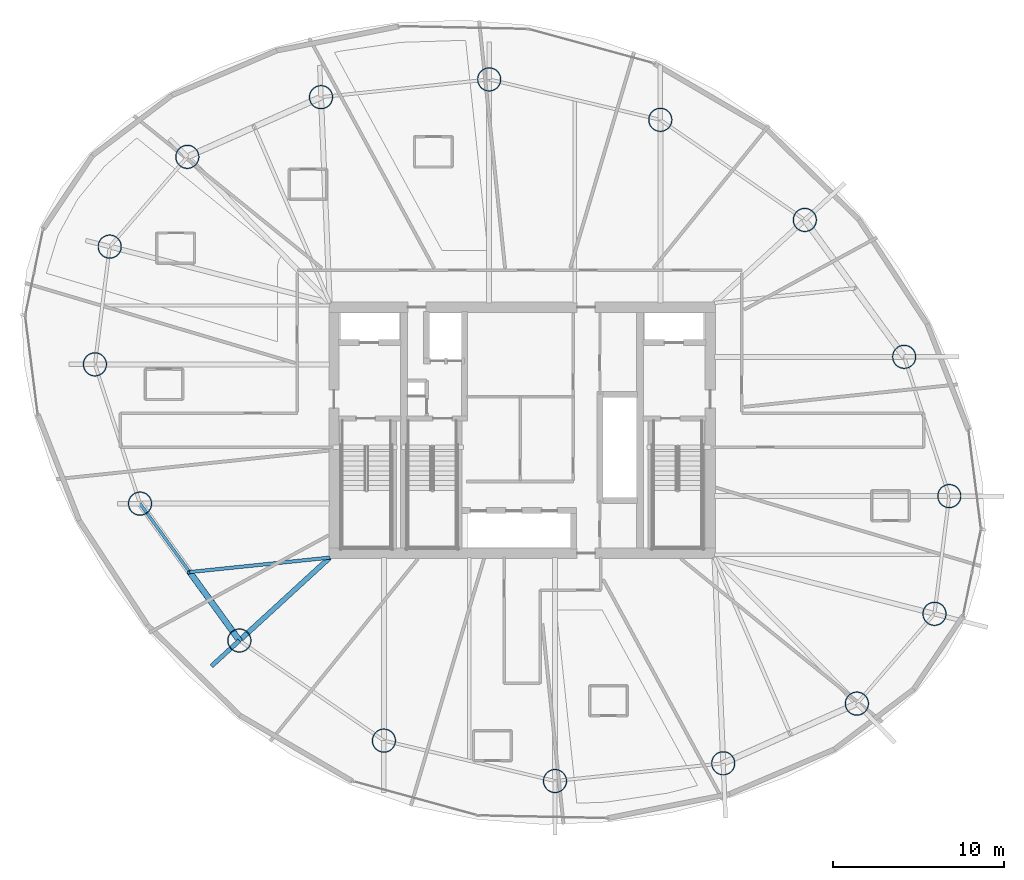
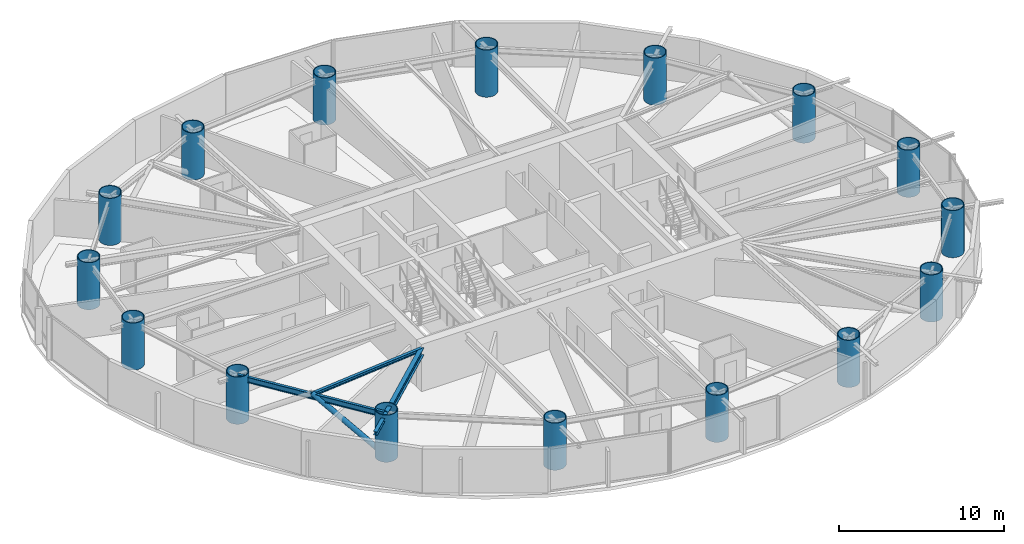
# One storey, part 1 of 26: 16 columns, 4 beams, 1 member.
"""IFC4 building model written with IfcOpenShell, lengths in metres."""

import ifcopenshell
import ifcopenshell.guid

model = None  # the IFC model being written
_history = None  # IfcOwnerHistory: only IFC2X3 demands one
_inside = {}  # id of a spatial element -> (the spatial element, [elements in it])
_under = {}  # id of a project, library or spatial element -> (it, [spatial elements below it])
_declared = {}  # id of a project -> (the project, [libraries it declares])
_typed = {}  # id of a type object -> (the type object, [elements of that type])
_made_of = {}  # id of a material, layer set ... -> (it, [elements and type objects made of it])


def new_model(schema):
    """Start an empty IFC model of exactly this schema.

    Asked for "IFC4X3", IfcOpenShell would pick the latest addendum, in which some entities
    have other attributes; the version numbers below select the first issue.
    IFC2X3 requires an IfcOwnerHistory on every rooted entity: one is made here for all.
    """
    global model, _history
    if schema == "IFC4X3":
        model = ifcopenshell.file(schema_version=(4, 3, 0, 0))
    else:
        model = ifcopenshell.file(schema=schema)
    _inside.clear()
    _under.clear()
    _declared.clear()
    _typed.clear()
    _made_of.clear()
    _history = None
    if model.schema == "IFC2X3":
        org = make("IfcOrganization", Name="unknown")
        user = make(
            "IfcPersonAndOrganization",
            ThePerson=make("IfcPerson", FamilyName="unknown"),
            TheOrganization=org,
        )
        app = make(
            "IfcApplication",
            ApplicationDeveloper=org,
            Version="unknown",
            ApplicationFullName="unknown",
            ApplicationIdentifier="unknown",
        )
        _history = make(
            "IfcOwnerHistory",
            OwningUser=user,
            OwningApplication=app,
            ChangeAction="ADDED",
            CreationDate=0,
        )
    return model


def make(cls, **values):
    """One entity of the class cls with the attributes given. An attribute that is None is left unset."""
    return model.create_entity(
        cls, **{name: value for name, value in values.items() if value is not None}
    )


def rooted(cls, **values):
    """An entity with a GlobalId (a new one), such as an element, a storey or a relation."""
    return make(cls, GlobalId=ifcopenshell.guid.new(), OwnerHistory=_history, **values)


def si_unit(unit_type, name, prefix=None):
    """IfcSIUnit, for example si_unit("LENGTHUNIT", "METRE", prefix="MILLI")."""
    return make("IfcSIUnit", UnitType=unit_type, Prefix=prefix, Name=name)


def assignment(units):
    """IfcUnitAssignment: the units of a project."""
    return None if units is None else make("IfcUnitAssignment", Units=units)


def point(xyz):
    """IfcCartesianPoint."""
    return None if xyz is None else make("IfcCartesianPoint", Coordinates=xyz)


def direction(xyz):
    """IfcDirection."""
    return None if xyz is None else make("IfcDirection", DirectionRatios=xyz)


def frame(location, z_axis=None, x_axis=None):
    """IfcAxis2Placement3D, a coordinate frame: its origin and axes. An axis left out is left unset."""
    return make(
        "IfcAxis2Placement3D",
        Location=point(location),
        Axis=direction(z_axis),
        RefDirection=direction(x_axis),
    )


def frame_2d(location, x_axis=None):
    """IfcAxis2Placement2D, a coordinate frame in the plane: its origin and x axis."""
    return make(
        "IfcAxis2Placement2D", Location=point(location), RefDirection=direction(x_axis)
    )


def origin():
    """The frame at (0, 0, 0) with its axes left unset."""
    return frame((0.0, 0.0, 0.0))


def origin_2d():
    """The frame at (0, 0) in the plane with its x axis left unset."""
    return frame_2d((0.0, 0.0))


def place(relative_to, where):
    """IfcLocalPlacement: puts the frame where relative to a parent placement (None: the world)."""
    return make(
        "IfcLocalPlacement", PlacementRelTo=relative_to, RelativePlacement=where
    )


def context(
    kind, dimensions, precision=None, world=None, true_north=None, identifier=None
):
    """IfcGeometricRepresentationContext, for example the 3D "Model" context."""
    return make(
        "IfcGeometricRepresentationContext",
        ContextIdentifier=identifier,
        ContextType=kind,
        CoordinateSpaceDimension=dimensions,
        Precision=precision,
        WorldCoordinateSystem=world,
        TrueNorth=true_north,
    )


def subcontext(parent, identifier, kind, view, scale=None):
    """IfcGeometricRepresentationSubContext, for example "Body" below "Model"."""
    return make(
        "IfcGeometricRepresentationSubContext",
        ContextIdentifier=identifier,
        ContextType=kind,
        ParentContext=parent,
        TargetScale=scale,
        TargetView=view,
    )


def project(units=None, contexts=None):
    """IfcProject with its units and contexts."""
    return rooted(
        "IfcProject",
        Name="project",
        RepresentationContexts=contexts,
        UnitsInContext=assignment(units),
    )


def spatial(cls, under=None, at=None, **own):
    """A site, building, storey or space (cls), placed at a placement, below another one or the project."""
    s = rooted(cls, ObjectPlacement=at, **own)
    if under is not None:
        _under.setdefault(under.id(), (under, []))[1].append(s)
    return s


def profile(cls, at=None, kind="AREA", **sizes):
    """A parametric profile (cls). Its sizes go by their IFC names, for example OverallWidth=200.0."""
    return make(cls, ProfileType=kind, Position=at, **sizes)


def hollow_circle(**sizes):
    """IfcCircleHollowProfileDef."""
    return profile("IfcCircleHollowProfileDef", **sizes)


def i_section(**sizes):
    """IfcIShapeProfileDef."""
    return profile("IfcIShapeProfileDef", **sizes)


def extrude(swept, where, along, depth):
    """IfcExtrudedAreaSolid: the profile swept, set in the frame where, extruded along a direction by depth."""
    return make(
        "IfcExtrudedAreaSolid",
        SweptArea=swept,
        Position=where,
        ExtrudedDirection=direction(along),
        Depth=depth,
    )


def shape(context_of_items, identifier, shape_type, items):
    """IfcShapeRepresentation: the items that make up one representation, for example the "Body"."""
    return make(
        "IfcShapeRepresentation",
        ContextOfItems=context_of_items,
        RepresentationIdentifier=identifier,
        RepresentationType=shape_type,
        Items=items,
    )


def material(Name=None, Category=None):
    """IfcMaterial."""
    return make("IfcMaterial", Name=Name, Category=Category)


def material_profile(
    of_material, cross_section, Name=None, Category=None, Priority=None
):
    """IfcMaterialProfile: a cross section and its material."""
    return make(
        "IfcMaterialProfile",
        Name=Name,
        Material=of_material,
        Profile=cross_section,
        Priority=Priority,
        Category=Category,
    )


def profile_set(profiles, Name=None, composite=None):
    """IfcMaterialProfileSet."""
    return make(
        "IfcMaterialProfileSet",
        Name=Name,
        MaterialProfiles=profiles,
        CompositeProfile=composite,
    )


def made_of(thing, what):
    """Note that an element or type object is made of a material, layer set ...; save() writes the relation."""
    if what is not None:
        _made_of.setdefault(what.id(), (what, []))[1].append(thing)
    return thing


def type_object(cls, material=None, **own):
    """A type object (cls), such as IfcWallType, which elements share."""
    return made_of(rooted(cls, **own), material)


def element(
    cls,
    number,
    at=None,
    inside=None,
    cuts=None,
    type_object=None,
    material=None,
    context=None,
    identifier="Body",
    shape_type=None,
    held_by="IfcProductDefinitionShape",
    body=None,
    shapes=None,
    **own,
):
    """One element of the class cls, such as IfcWall. Its Tag is "e" and its number.

    at: its placement. inside: the storey or other place that contains it. cuts: it is an
    opening in that element (IfcRelVoidsElement). A single representation is given by context,
    identifier, shape_type and body (its items); several are given by shapes. held_by: the class
    of the entity that holds the representations. save() writes the other relations.
    """
    e = rooted(cls, Tag="e%d" % number, ObjectPlacement=at, **own)
    if body is not None:
        shapes = [shape(context, identifier, shape_type, body)]
    if shapes is not None:
        e.Representation = make(held_by, Representations=shapes)
    if inside is not None:
        _inside.setdefault(inside.id(), (inside, []))[1].append(e)
    if cuts is not None:
        rooted(
            "IfcRelVoidsElement", RelatingBuildingElement=cuts, RelatedOpeningElement=e
        )
    if type_object is not None:
        _typed.setdefault(type_object.id(), (type_object, []))[1].append(e)
    return made_of(e, material)


def aggregate(whole, parts):
    """IfcRelAggregates: a whole, such as a stair, and the parts it consists of."""
    return rooted("IfcRelAggregates", RelatingObject=whole, RelatedObjects=parts)


def save(model, path):
    """Write the relations noted so far, then the file.

    IfcRelAggregates (storeys below a building ...), IfcRelContainedInSpatialStructure (elements
    in a storey), IfcRelDefinesByType, IfcRelAssociatesMaterial and IfcRelDeclares: one each for
    every whole, place, type object, material and project.
    """
    for whole, parts in _under.values():
        aggregate(whole, parts)
    for where, things in _inside.values():
        rooted(
            "IfcRelContainedInSpatialStructure",
            RelatedElements=things,
            RelatingStructure=where,
        )
    for kind, things in _typed.values():
        rooted("IfcRelDefinesByType", RelatedObjects=things, RelatingType=kind)
    for what, things in _made_of.values():
        rooted("IfcRelAssociatesMaterial", RelatedObjects=things, RelatingMaterial=what)
    for by, libraries in _declared.values():
        rooted("IfcRelDeclares", RelatingContext=by, RelatedDefinitions=libraries)
    model.write(path)


model = new_model("IFC4")

# Units and contexts
model_context = context("Model", 3, precision=1e-05, world=origin(), true_north=direction((0.0, 1.0)))
body_context = subcontext(model_context, "Body", "Model", "MODEL_VIEW")
ifc_project = project(units=[si_unit("LENGTHUNIT", "METRE"), si_unit("AREAUNIT", "SQUARE_METRE"), si_unit("VOLUMEUNIT", "CUBIC_METRE"), si_unit("PLANEANGLEUNIT", "RADIAN"), si_unit("MASSUNIT", "GRAM", prefix="KILO")], contexts=[model_context])

# Site, building, storey
site_placement = place(None, origin())
site = spatial("IfcSite", under=ifc_project, at=site_placement, CompositionType="ELEMENT")
building_placement = place(site_placement, origin())
building = spatial("IfcBuilding", under=site, at=building_placement, Name="Bramvorn Convention Spire", CompositionType="ELEMENT")
storey_placement = place(building_placement, frame((0.0, 0.0, 123.800048828125)))
storey = spatial("IfcBuildingStorey", under=building, at=storey_placement, Name="L30", CompositionType="ELEMENT", Elevation=123.800048828125)

# Columns
ifc_material = material(Name="Steel CSA G40.21 Grade 350 (350W)", Category="steel")
ifc_material_profile_1 = material_profile(ifc_material, hollow_circle(Radius=0.699951171875, WallThickness=0.054931640625, at=origin_2d()))
ifc_profile_set_1 = profile_set([ifc_material_profile_1], Name="Steel CSA G40.21 Grade 350 (350W) - CFT1400X55")
column_type = type_object("IfcColumnType", Name="COL-CFT1400X55", PredefinedType="COLUMN", material=ifc_profile_set_1)
for number, where, z_axis, x_axis, name in (
    (1, (62.11767578125, 15.26220703125, 0.0), (0.0, 0.0, 1.0), (1.0, 0.0, 0.0), "L30 composite CFT mega-column MC01"),
    (2, (62.983642578125, 22.148193359375, 0.0), (0.0, 0.0, 1.0), (1.0, 0.0, 0.0), "L30 composite CFT mega-column MC02"),
    (3, (60.345703125, 30.293212890625, 0.0), (0.0, 0.0, 1.0), (1.0, 0.0, 0.0), "L30 composite CFT mega-column MC03"),
    (4, (54.534912109375, 38.299072265625, 0.0), (0.0, 0.0, 1.0), (1.0, 0.0, 0.0), "L30 composite CFT mega-column MC04"),
    (5, (46.082763671875, 44.154052734375, 0.0), (0.0, 0.0, 1.0), (1.0, 0.0, 0.0), "L30 composite CFT mega-column MC05"),
    (6, (36.075927734375, 46.517333984375, 0.0), (0.0, 0.0, 1.0), (1.0, 0.0, 0.0), "L30 composite CFT mega-column MC06"),
    (7, (26.23828125, 45.478759765625, 0.0), (0.0, 0.0, 1.0), (1.0, 0.0, 0.0), "L30 composite CFT mega-column MC07"),
    (8, (18.420166015625, 41.9892578125, 0.0), (0.0, 0.0, 1.0), (1.0, 0.0, 0.0), "L30 composite CFT mega-column MC08"),
    (9, (13.88232421875, 36.73779296875, 0.0), (0.0, 0.0, 1.0), (1.0, 0.0, 0.0), "L30 composite CFT mega-column MC09"),
    (10, (13.016357421875, 29.851806640625, 0.0), (0.0, 0.0, 1.0), (1.0, 0.0, 0.0), "L30 composite CFT mega-column MC10"),
    (11, (15.654296875, 21.706787109375, 0.0), (0.0, 0.0, 1.0), (1.0, 0.0, 0.0), "L30 composite CFT mega-column MC11"),
    (12, (21.465087890625, 13.700927734375, 0.0), (0.0, 0.0, 1.0), (1.0, 0.0, 0.0), "L30 composite CFT mega-column MC12"),
    (13, (29.917236328125, 7.845947265625, 0.0), (0.0, 0.0, 1.0), (1.0, 0.0, 0.0), "L30 composite CFT mega-column MC13"),
    (14, (39.924072265625, 5.482666015625, 0.0), (0.0, 0.0, 1.0), (1.0, 0.0, 0.0), "L30 composite CFT mega-column MC14"),
    (15, (49.76171875, 6.521240234375, 0.0), (0.0, 0.0, 1.0), (1.0, 0.0, 0.0), "L30 composite CFT mega-column MC15"),
    (16, (57.579833984375, 10.0107421875, 0.0), (0.0, 0.0, 1.0), (1.0, 0.0, 0.0), "L30 composite CFT mega-column MC16"),
):
    element("IfcColumn", number, at=place(storey_placement, frame(where, z_axis=z_axis, x_axis=x_axis)), inside=storey, type_object=column_type, Name=name, PredefinedType="COLUMN", context=body_context, shape_type="SweptSolid", body=[
        extrude(hollow_circle(Radius=0.699951171875, WallThickness=0.054931640625, at=origin_2d()), origin(), (0.0, 0.0, 1.0), 3.5),
    ])

# Beams
ifc_material_profile_2 = material_profile(ifc_material, i_section(OverallWidth=0.201904296875, OverallDepth=0.2470703125, WebThickness=0.00732421875, FlangeThickness=0.010986328125, FilletRadius=0.011962890625, at=origin_2d()))
ifc_profile_set_2 = profile_set([ifc_material_profile_2], Name="Steel CSA G40.21 Grade 350 (350W) - W250X49")
beam_type_1 = type_object("IfcBeamType", Name="BM-W250X49", PredefinedType="JOIST", material=ifc_profile_set_2)
beam_1_placement = place(storey_placement, frame((26.75, 18.550048828125, 3.136474609375), z_axis=(-0.994705076194, -0.102770673804, 0.0), x_axis=(0.102770673804, -0.994705076194, 0.0)))
element("IfcBeam", 17, at=beam_1_placement, inside=storey, type_object=beam_type_1, Name="L30 composite floor joist 11", PredefinedType="JOIST", context=body_context, shape_type="SweptSolid", body=[
    extrude(i_section(OverallWidth=0.201904296875, OverallDepth=0.2470703125, WebThickness=0.00732421875, FlangeThickness=0.010986328125, FilletRadius=0.011962890625, at=origin_2d()), origin(), (0.0, 0.0, 1.0), 8.23388671875),
])
ifc_material_profile_3 = material_profile(ifc_material, i_section(OverallWidth=0.25390625, OverallDepth=0.2529296875, WebThickness=0.008544921875, FlangeThickness=0.01416015625, FilletRadius=0.011962890625, at=origin_2d()))
ifc_profile_set_3 = profile_set([ifc_material_profile_3], Name="Steel CSA G40.21 Grade 350 (350W) - W250X73")
beam_type_2 = type_object("IfcBeamType", Name="BM-W250X73", PredefinedType="BEAM", material=ifc_profile_set_3)
beam_2_placement = place(storey_placement, frame((21.465087890625, 13.700927734375, 3.133544921875), z_axis=(-0.736792285409, -0.676119167131, 0.0), x_axis=(0.676119167131, -0.736792285409, 0.0)))
element("IfcBeam", 18, at=beam_2_placement, inside=storey, type_object=beam_type_2, Name="L30 slab-edge cantilever tip beam MC12", PredefinedType="BEAM", context=body_context, shape_type="SweptSolid", body=[
    extrude(i_section(OverallWidth=0.25390625, OverallDepth=0.2529296875, WebThickness=0.008544921875, FlangeThickness=0.01416015625, FilletRadius=0.011962890625, at=origin_2d()), origin(), (0.0, 0.0, 1.0), 2.213134765625),
])
ifc_material_profile_4 = material_profile(ifc_material, i_section(OverallWidth=0.180908203125, OverallDepth=0.4169921875, WebThickness=0.010986328125, FlangeThickness=0.018310546875, FilletRadius=0.01611328125, at=origin_2d()))
ifc_profile_set_4 = profile_set([ifc_material_profile_4], Name="Steel CSA G40.21 Grade 350 (350W) - W410X85")
beam_type_3 = type_object("IfcBeamType", Name="BM-W410X85", PredefinedType="JOIST", material=ifc_profile_set_4)
beam_3_placement = place(storey_placement, frame((15.654296875, 21.706787109375, 3.051513671875), z_axis=(0.587401024629, -0.809296012757, 0.0), x_axis=(0.809296012757, 0.587401024629, 0.0)))
element("IfcBeam", 19, at=beam_3_placement, inside=storey, type_object=beam_type_3, Name="L30 mega-column ring beam 11", PredefinedType="JOIST", context=body_context, shape_type="SweptSolid", body=[
    extrude(i_section(OverallWidth=0.180908203125, OverallDepth=0.4169921875, WebThickness=0.010986328125, FlangeThickness=0.018310546875, FilletRadius=0.01611328125, at=origin_2d()), origin(), (0.0, 0.0, 1.0), 9.892333984375),
])
ifc_material_profile_5 = material_profile(ifc_material, i_section(OverallWidth=0.2919921875, OverallDepth=0.551025390625, WebThickness=0.01513671875, FlangeThickness=0.0244140625, FilletRadius=0.01904296875, at=origin_2d()))
ifc_profile_set_5 = profile_set([ifc_material_profile_5], Name="Steel CSA G40.21 Grade 350 (350W) - W530X182")
beam_type_4 = type_object("IfcBeamType", Name="BM-W530X182", PredefinedType="BEAM", material=ifc_profile_set_5)
beam_4_placement = place(storey_placement, frame((26.75, 18.550048828125, 2.984375), z_axis=(-0.736833323746, -0.676074443399, 0.0), x_axis=(0.676074443399, -0.736833323746, 0.0)))
element("IfcBeam", 20, at=beam_4_placement, inside=storey, type_object=beam_type_4, Name="L30 radial floor girder MC12", PredefinedType="BEAM", context=body_context, shape_type="SweptSolid", body=[
    extrude(i_section(OverallWidth=0.2919921875, OverallDepth=0.551025390625, WebThickness=0.01513671875, FlangeThickness=0.0244140625, FilletRadius=0.01904296875, at=origin_2d()), origin(), (0.0, 0.0, 1.0), 7.17236328125),
])

# Member
ifc_material_profile_6 = material_profile(ifc_material, hollow_circle(Radius=0.177734375, WallThickness=0.015869140625, at=origin_2d()))
ifc_profile_set_6 = profile_set([ifc_material_profile_6], Name="Steel CSA G40.21 Grade 350 (350W) - CHS356X16")
member_type = type_object("IfcMemberType", Name="MBR-CHS356X16", PredefinedType="BRACE", material=ifc_profile_set_6)
member_placement = place(storey_placement, frame((21.465087890625, 13.700927734375, 0.0), z_axis=(-0.490438622602, 0.67573375262, 0.550321590555), x_axis=(-0.809307745024, -0.587384860074, 0.0)))
element("IfcMember", 21, at=member_placement, inside=storey, type_object=member_type, Name="L30 perimeter Gothic lancet brace 11B", PredefinedType="BRACE", context=body_context, shape_type="SweptSolid", body=[
    extrude(hollow_circle(Radius=0.177734375, WallThickness=0.015869140625, at=origin_2d()), origin(), (0.0, 0.0, 1.0), 5.923828125),
])

save(model, "model.ifc")
